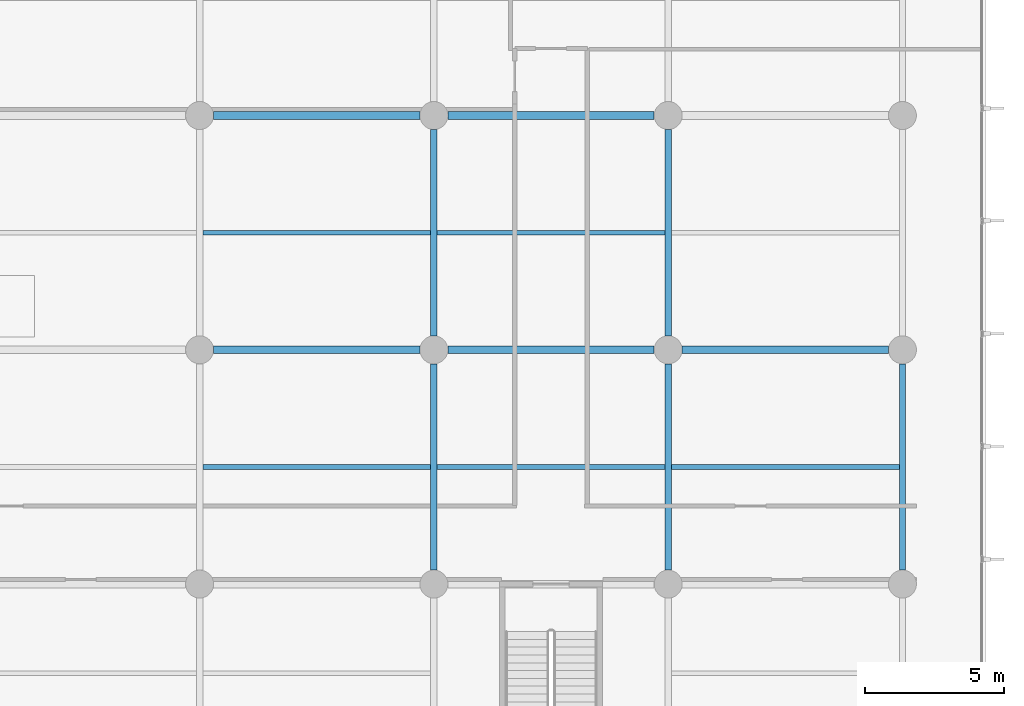
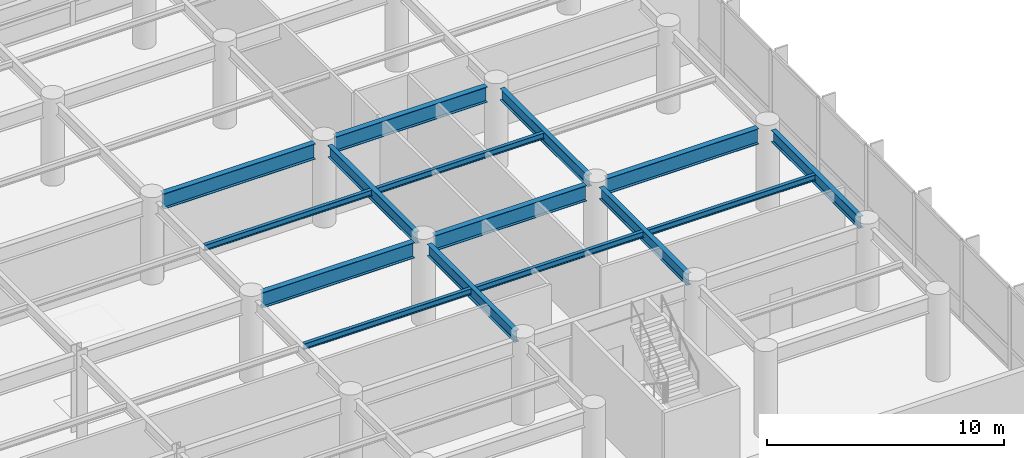
# One storey, part 8 of 26: 15 beams.
"""IFC4 building model written with IfcOpenShell, lengths in metres."""

from ifc_helpers import new_model, si_unit, direction, frame, origin, origin_2d, place, context, subcontext, project, spatial, i_section, extrude, material, material_profile, profile_set, type_object, element, save


model = new_model("IFC4")

# Units and contexts
model_context = context("Model", 3, precision=1e-05, world=origin(), true_north=direction((0.0, 1.0)))
body_context = subcontext(model_context, "Body", "Model", "MODEL_VIEW")
ifc_project = project(units=[si_unit("LENGTHUNIT", "METRE"), si_unit("AREAUNIT", "SQUARE_METRE"), si_unit("VOLUMEUNIT", "CUBIC_METRE"), si_unit("PLANEANGLEUNIT", "RADIAN"), si_unit("MASSUNIT", "GRAM", prefix="KILO")], contexts=[model_context])

# Site, building, storey
site_placement = place(None, origin())
site = spatial("IfcSite", under=ifc_project, at=site_placement, CompositionType="ELEMENT")
building_placement = place(site_placement, origin())
building = spatial("IfcBuilding", under=site, at=building_placement, Name="Varnakote Quay Hospital", CompositionType="ELEMENT")
storey_placement = place(building_placement, frame((0.0, 0.0, 4.5)))
storey = spatial("IfcBuildingStorey", under=building, at=storey_placement, Name="L01", CompositionType="ELEMENT", Elevation=4.5)

# Beams
ifc_material_1 = material(Name="Structural steel AS/NZS 3679.1 Grade 350 L0 (fy 340 MPa)", Category="steel")
ifc_material_profile_1 = material_profile(ifc_material_1, i_section(OverallWidth=0.22802734375, OverallDepth=0.60205078125, WebThickness=0.010498046875, FlangeThickness=0.014892578125, FilletRadius=0.013916015625, at=origin_2d()), Name="610UB101")
ifc_profile_set_1 = profile_set([ifc_material_profile_1], Name="Structural steel AS/NZS 3679.1 Grade 350 L0 (fy 340 MPa)")
beam_type_1 = type_object("IfcBeamType", Name="BM-STL-610UB101", PredefinedType="BEAM", material=ifc_profile_set_1)
beam_1_placement = place(storey_placement, frame((67.199951171875, 12.5, 3.948974609375), z_axis=(0.0, 1.0, 0.0), x_axis=(-1.0, 0.0, 0.0)))
element("IfcBeam", 1, at=beam_1_placement, inside=storey, type_object=beam_type_1, Name="L01 Primary Tie Beam", PredefinedType="BEAM", context=body_context, shape_type="SweptSolid", body=[
    extrude(i_section(OverallWidth=0.22802734375, OverallDepth=0.60205078125, WebThickness=0.010498046875, FlangeThickness=0.014892578125, FilletRadius=0.013916015625, at=origin_2d()), origin(), (0.0, 0.0, 1.0), 7.39990234375),
])
beam_2_placement = place(storey_placement, frame((67.199951171875, 20.89990234375, 3.948974609375), z_axis=(0.0, 1.0, 0.0), x_axis=(-1.0, 0.0, 0.0)))
element("IfcBeam", 2, at=beam_2_placement, inside=storey, type_object=beam_type_1, Name="L01 Primary Tie Beam", PredefinedType="BEAM", context=body_context, shape_type="SweptSolid", body=[
    extrude(i_section(OverallWidth=0.22802734375, OverallDepth=0.60205078125, WebThickness=0.010498046875, FlangeThickness=0.014892578125, FilletRadius=0.013916015625, at=origin_2d()), origin(), (0.0, 0.0, 1.0), 7.400146484375),
])
beam_3_placement = place(storey_placement, frame((75.60009765625, 12.5, 3.948974609375), z_axis=(0.0, 1.0, 0.0), x_axis=(-1.0, 0.0, 0.0)))
element("IfcBeam", 3, at=beam_3_placement, inside=storey, type_object=beam_type_1, Name="L01 Primary Tie Beam", PredefinedType="BEAM", context=body_context, shape_type="SweptSolid", body=[
    extrude(i_section(OverallWidth=0.22802734375, OverallDepth=0.60205078125, WebThickness=0.010498046875, FlangeThickness=0.014892578125, FilletRadius=0.013916015625, at=origin_2d()), origin(), (0.0, 0.0, 1.0), 7.39990234375),
])
beam_4_placement = place(storey_placement, frame((75.60009765625, 20.89990234375, 3.948974609375), z_axis=(0.0, 1.0, 0.0), x_axis=(-1.0, 0.0, 0.0)))
element("IfcBeam", 4, at=beam_4_placement, inside=storey, type_object=beam_type_1, Name="L01 Primary Tie Beam", PredefinedType="BEAM", context=body_context, shape_type="SweptSolid", body=[
    extrude(i_section(OverallWidth=0.22802734375, OverallDepth=0.60205078125, WebThickness=0.010498046875, FlangeThickness=0.014892578125, FilletRadius=0.013916015625, at=origin_2d()), origin(), (0.0, 0.0, 1.0), 7.400146484375),
])
beam_5_placement = place(storey_placement, frame((84.0, 12.5, 3.948974609375), z_axis=(0.0, 1.0, 0.0), x_axis=(-1.0, 0.0, 0.0)))
element("IfcBeam", 5, at=beam_5_placement, inside=storey, type_object=beam_type_1, Name="L01 Primary Tie Beam", PredefinedType="BEAM", context=body_context, shape_type="SweptSolid", body=[
    extrude(i_section(OverallWidth=0.22802734375, OverallDepth=0.60205078125, WebThickness=0.010498046875, FlangeThickness=0.014892578125, FilletRadius=0.013916015625, at=origin_2d()), origin(), (0.0, 0.0, 1.0), 7.39990234375),
])
ifc_material_2 = material(Name="Structural steel AS/NZS 3678 Grade 350 (fy 340 MPa)", Category="steel")
ifc_material_profile_2 = material_profile(ifc_material_2, i_section(OverallWidth=0.27490234375, OverallDepth=0.800048828125, WebThickness=0.010009765625, FlangeThickness=0.02001953125, at=origin_2d()), Name="800WB146")
ifc_profile_set_2 = profile_set([ifc_material_profile_2], Name="Structural steel AS/NZS 3678 Grade 350 (fy 340 MPa)")
beam_type_2 = type_object("IfcBeamType", Name="BM-STL-800WB146", PredefinedType="BEAM", material=ifc_profile_set_2)
beam_6_placement = place(storey_placement, frame((59.300048828125, 20.39990234375, 3.85009765625), z_axis=(1.0, 0.0, 0.0), x_axis=(0.0, 1.0, 0.0)))
element("IfcBeam", 6, at=beam_6_placement, inside=storey, type_object=beam_type_2, Name="L01 Primary Floor Beam", PredefinedType="BEAM", context=body_context, shape_type="SweptSolid", body=[
    extrude(i_section(OverallWidth=0.27490234375, OverallDepth=0.800048828125, WebThickness=0.010009765625, FlangeThickness=0.02001953125, at=origin_2d()), origin(), (0.0, 0.0, 1.0), 7.39990234375),
])
beam_7_placement = place(storey_placement, frame((67.699951171875, 20.39990234375, 3.85009765625), z_axis=(1.0, 0.0, 0.0), x_axis=(0.0, 1.0, 0.0)))
element("IfcBeam", 7, at=beam_7_placement, inside=storey, type_object=beam_type_2, Name="L01 Primary Floor Beam", PredefinedType="BEAM", context=body_context, shape_type="SweptSolid", body=[
    extrude(i_section(OverallWidth=0.27490234375, OverallDepth=0.800048828125, WebThickness=0.010009765625, FlangeThickness=0.02001953125, at=origin_2d()), origin(), (0.0, 0.0, 1.0), 7.400146484375),
])
for number, where, z_axis, x_axis, name in (
    (8, (76.10009765625, 20.39990234375, 3.85009765625), (1.0, 0.0, 0.0), (0.0, 1.0, 0.0), "L01 Primary Floor Beam"),
    (9, (59.300048828125, 28.800048828125, 3.85009765625), (1.0, 0.0, 0.0), (0.0, 1.0, 0.0), "L01 Primary Floor Beam"),
):
    element("IfcBeam", number, at=place(storey_placement, frame(where, z_axis=z_axis, x_axis=x_axis)), inside=storey, type_object=beam_type_2, Name=name, PredefinedType="BEAM", context=body_context, shape_type="SweptSolid", body=[
        extrude(i_section(OverallWidth=0.27490234375, OverallDepth=0.800048828125, WebThickness=0.010009765625, FlangeThickness=0.02001953125, at=origin_2d()), origin(), (0.0, 0.0, 1.0), 7.39990234375),
    ])
beam_8_placement = place(storey_placement, frame((67.699951171875, 28.800048828125, 3.85009765625), z_axis=(1.0, 0.0, 0.0), x_axis=(0.0, 1.0, 0.0)))
element("IfcBeam", 10, at=beam_8_placement, inside=storey, type_object=beam_type_2, Name="L01 Primary Floor Beam", PredefinedType="BEAM", context=body_context, shape_type="SweptSolid", body=[
    extrude(i_section(OverallWidth=0.27490234375, OverallDepth=0.800048828125, WebThickness=0.010009765625, FlangeThickness=0.02001953125, at=origin_2d()), origin(), (0.0, 0.0, 1.0), 7.400146484375),
])
ifc_material_3 = material(Name="Structural steel AS/NZS 3679.1 Grade 350 L0 (fy 340 MPa)", Category="steel")
ifc_material_profile_3 = material_profile(ifc_material_3, i_section(OverallWidth=0.166015625, OverallDepth=0.306884765625, WebThickness=0.006591796875, FlangeThickness=0.01171875, FilletRadius=0.011474609375, at=origin_2d()), Name="310UB46.2")
ifc_profile_set_3 = profile_set([ifc_material_profile_3], Name="Structural steel AS/NZS 3679.1 Grade 350 L0 (fy 340 MPa)")
beam_type_3 = type_object("IfcBeamType", Name="JST-STL-310UB46-2", PredefinedType="JOIST", material=ifc_profile_set_3)
beam_9_placement = place(storey_placement, frame((58.9140625, 16.199951171875, 4.096435546875), z_axis=(1.0, 0.0, 0.0), x_axis=(0.0, 1.0, 0.0)))
element("IfcBeam", 11, at=beam_9_placement, inside=storey, type_object=beam_type_3, Name="L01 Composite Floor Joist", PredefinedType="JOIST", context=body_context, shape_type="SweptSolid", body=[
    extrude(i_section(OverallWidth=0.166015625, OverallDepth=0.306884765625, WebThickness=0.006591796875, FlangeThickness=0.01171875, FilletRadius=0.011474609375, at=origin_2d()), origin(), (0.0, 0.0, 1.0), 8.171875),
])
beam_10_placement = place(storey_placement, frame((67.31396484375, 16.199951171875, 4.096435546875), z_axis=(1.0, 0.0, 0.0), x_axis=(0.0, 1.0, 0.0)))
element("IfcBeam", 12, at=beam_10_placement, inside=storey, type_object=beam_type_3, Name="L01 Composite Floor Joist", PredefinedType="JOIST", context=body_context, shape_type="SweptSolid", body=[
    extrude(i_section(OverallWidth=0.166015625, OverallDepth=0.306884765625, WebThickness=0.006591796875, FlangeThickness=0.01171875, FilletRadius=0.011474609375, at=origin_2d()), origin(), (0.0, 0.0, 1.0), 8.172119140625),
])
for number, where, z_axis, x_axis, name in (
    (13, (75.714111328125, 16.199951171875, 4.096435546875), (1.0, 0.0, 0.0), (0.0, 1.0, 0.0), "L01 Composite Floor Joist"),
    (14, (58.9140625, 24.60009765625, 4.096435546875), (1.0, 0.0, 0.0), (0.0, 1.0, 0.0), "L01 Composite Floor Joist"),
):
    element("IfcBeam", number, at=place(storey_placement, frame(where, z_axis=z_axis, x_axis=x_axis)), inside=storey, type_object=beam_type_3, Name=name, PredefinedType="JOIST", context=body_context, shape_type="SweptSolid", body=[
        extrude(i_section(OverallWidth=0.166015625, OverallDepth=0.306884765625, WebThickness=0.006591796875, FlangeThickness=0.01171875, FilletRadius=0.011474609375, at=origin_2d()), origin(), (0.0, 0.0, 1.0), 8.171875),
    ])
beam_11_placement = place(storey_placement, frame((67.31396484375, 24.60009765625, 4.096435546875), z_axis=(1.0, 0.0, 0.0), x_axis=(0.0, 1.0, 0.0)))
element("IfcBeam", 15, at=beam_11_placement, inside=storey, type_object=beam_type_3, Name="L01 Composite Floor Joist", PredefinedType="JOIST", context=body_context, shape_type="SweptSolid", body=[
    extrude(i_section(OverallWidth=0.166015625, OverallDepth=0.306884765625, WebThickness=0.006591796875, FlangeThickness=0.01171875, FilletRadius=0.011474609375, at=origin_2d()), origin(), (0.0, 0.0, 1.0), 8.172119140625),
])

save(model, "model.ifc")
